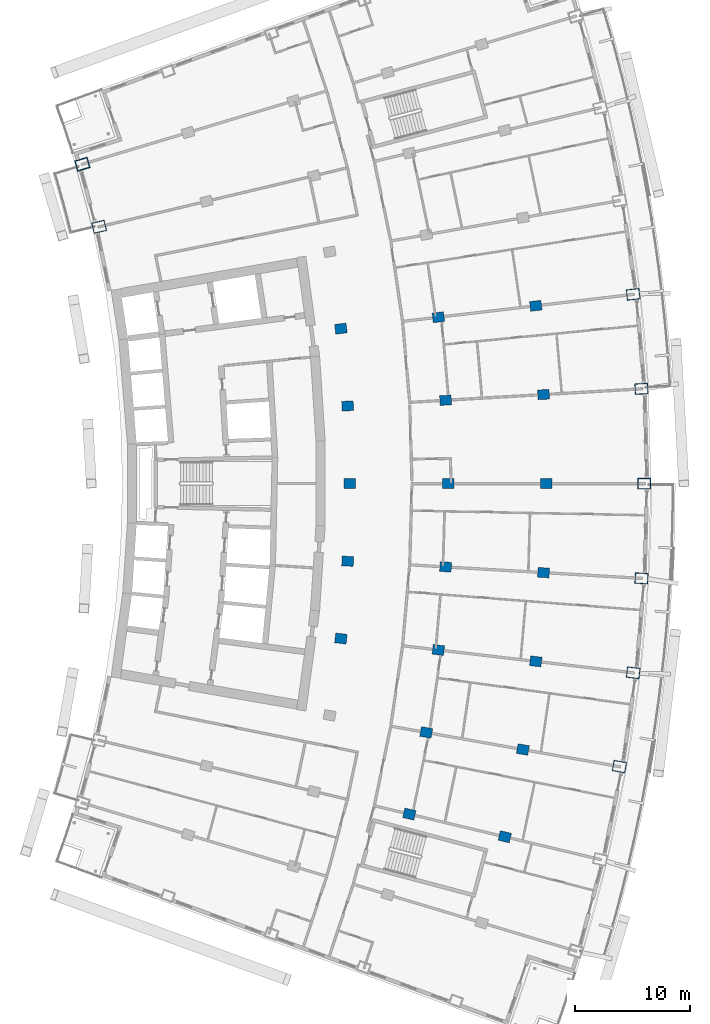
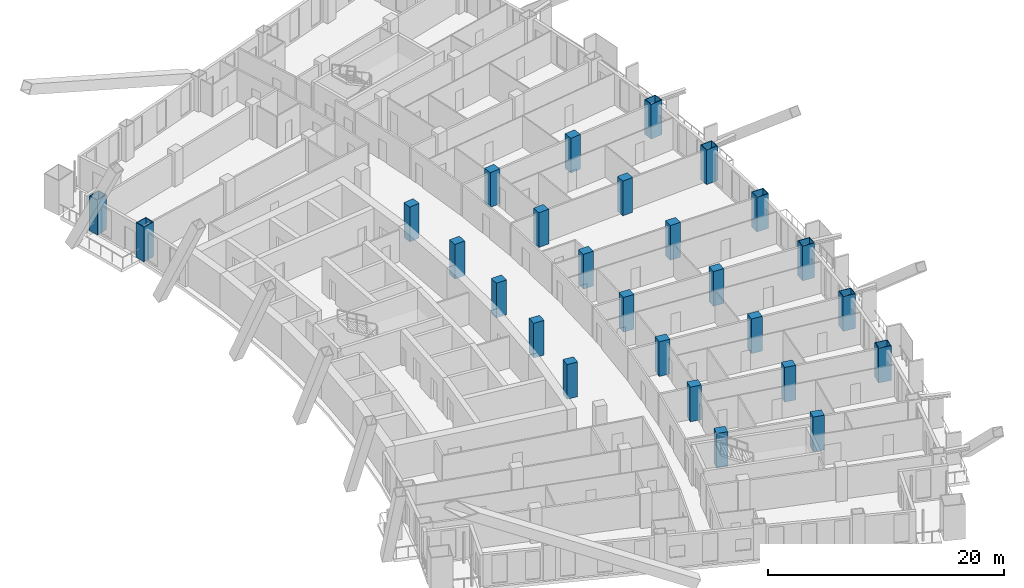
# One storey, part 6 of 25: 27 columns.
"""IFC4 building model written with IfcOpenShell, lengths in metres."""

from ifc_helpers import new_model, si_unit, direction, frame, origin, origin_2d, place, context, subcontext, project, spatial, rectangle, hollow_rectangle, extrude, material, material_profile, profile_set, type_object, element, save


model = new_model("IFC4")

# Units and contexts
model_context = context("Model", 3, precision=1e-05, world=origin(), true_north=direction((0.0, 1.0)))
body_context = subcontext(model_context, "Body", "Model", "MODEL_VIEW")
ifc_project = project(units=[si_unit("LENGTHUNIT", "METRE"), si_unit("AREAUNIT", "SQUARE_METRE"), si_unit("VOLUMEUNIT", "CUBIC_METRE"), si_unit("PLANEANGLEUNIT", "RADIAN"), si_unit("MASSUNIT", "GRAM", prefix="KILO")], contexts=[model_context])

# Site, building, storey
site_placement = place(None, origin())
site = spatial("IfcSite", under=ifc_project, at=site_placement, CompositionType="ELEMENT")
building_placement = place(site_placement, origin())
building = spatial("IfcBuilding", under=site, at=building_placement, Name="Alderwake Tower", CompositionType="ELEMENT")
storey_placement = place(building_placement, frame((0.0, 0.0, 93.199951171875)))
storey = spatial("IfcBuildingStorey", under=building, at=storey_placement, Name="L22", CompositionType="ELEMENT", Elevation=93.199951171875)

# Columns
ifc_material_1 = material(Name="Concrete C70/85", Category="concrete")
ifc_material_profile_1 = material_profile(ifc_material_1, rectangle(XDim=0.85009765625, YDim=1.0, at=origin_2d()), Name="RC 1000X850")
ifc_profile_set_1 = profile_set([ifc_material_profile_1], Name="Concrete C70/85")
column_type_1 = type_object("IfcColumnType", Name="Interior column Z2", PredefinedType="COLUMN", material=ifc_profile_set_1)
for number, where, z_axis, x_axis, name in (
    (1, (40.964111328125, 32.25146484375, 0.0), (0.0, 0.0, 1.0), (0.231221547198, 0.972901123502, 0.0), "Column R03-C3"),
    (2, (49.26611328125, 30.2783203125, 0.0), (0.0, 0.0, 1.0), (0.231221547198, 0.972901123502, 0.0), "Column R03-C4"),
    (3, (42.434326171875, 39.3525390625, 0.0), (0.0, 0.0, 1.0), (0.174107082075, 0.984726725529, 0.0), "Column R04-C3"),
    (4, (50.83740234375, 37.86669921875, 0.0), (0.0, 0.0, 1.0), (0.174108800747, 0.984726421654, 0.0), "Column R04-C4"),
    (5, (35.0126953125, 47.5205078125, 0.0), (0.0, 0.0, 1.0), (0.116402054316, 0.993202175668, 0.0), "Column R05-C2"),
    (6, (43.488037109375, 46.52734375, 0.0), (0.0, 0.0, 1.0), (0.116402054316, 0.993202175668, 0.0), "Column R05-C3"),
    (7, (51.96337890625, 45.533935546875, 0.0), (0.0, 0.0, 1.0), (0.116402054316, 0.993202175668, 0.0), "Column R05-C4"),
    (8, (35.60302734375, 54.248779296875, 0.0), (0.0, 0.0, 1.0), (0.058301061284, 0.998299046505, 0.0), "Column R06-C2"),
    (9, (44.121826171875, 53.751220703125, 0.0), (0.0, 0.0, 1.0), (0.058301061284, 0.998299046505, 0.0), "Column R06-C3"),
    (10, (52.640625, 53.25390625, 0.0), (0.0, 0.0, 1.0), (0.058301061284, 0.998299046505, 0.0), "Column R06-C4"),
    (11, (35.800048828125, 61.0, 0.0), (0.0, 0.0, 1.0), (0.0, 1.0, 0.0), "Column R07-C2"),
    (12, (44.333251953125, 61.0, 0.0), (0.0, 0.0, 1.0), (0.0, 1.0, 0.0), "Column R07-C3"),
    (13, (52.86669921875, 61.0, 0.0), (0.0, 0.0, 1.0), (0.0, 1.0, 0.0), "Column R07-C4"),
    (14, (35.60302734375, 67.751220703125, 0.0), (0.0, 0.0, 1.0), (-0.058301061284, 0.998299046505, 0.0), "Column R08-C2"),
    (15, (44.121826171875, 68.248779296875, 0.0), (0.0, 0.0, 1.0), (-0.058301061284, 0.998299046505, 0.0), "Column R08-C3"),
    (16, (52.640625, 68.74609375, 0.0), (0.0, 0.0, 1.0), (-0.058301061284, 0.998299046505, 0.0), "Column R08-C4"),
    (17, (35.0126953125, 74.4794921875, 0.0), (0.0, 0.0, 1.0), (-0.116402054316, 0.993202175668, 0.0), "Column R09-C2"),
    (18, (43.488037109375, 75.47265625, 0.0), (0.0, 0.0, 1.0), (-0.116402054316, 0.993202175668, 0.0), "Column R09-C3"),
    (19, (51.96337890625, 76.466064453125, 0.0), (0.0, 0.0, 1.0), (-0.116402054316, 0.993202175668, 0.0), "Column R09-C4"),
):
    element("IfcColumn", number, at=place(storey_placement, frame(where, z_axis=z_axis, x_axis=x_axis)), inside=storey, type_object=column_type_1, Name=name, PredefinedType="COLUMN", context=body_context, shape_type="SweptSolid", body=[
        extrude(rectangle(XDim=0.85009765625, YDim=1.0, at=origin_2d()), origin(), (0.0, 0.0, 1.0), 3.60009765625),
    ])
ifc_material_2 = material(Name="Steel ASTM A572 Grade 50 concrete filled C70/85", Category="concrete")
ifc_material_profile_2 = material_profile(ifc_material_2, hollow_rectangle(XDim=0.949951171875, YDim=1.14990234375, WallThickness=0.06005859375, at=origin_2d()), Name="BOX 1150X950X60")
ifc_profile_set_2 = profile_set([ifc_material_profile_2], Name="Steel ASTM A572 Grade 50 concrete filled C70/85")
column_type_2 = type_object("IfcColumnType", Name="Perimeter column Z2", PredefinedType="COLUMN", material=ifc_profile_set_2)
for number, where, z_axis, x_axis, name in (
    (20, (59.240234375, 36.381103515625, 0.0), (0.0, 0.0, 1.0), (0.174108800747, 0.984726421654, 0.0), "Column R04-C5"),
    (21, (60.438720703125, 44.540771484375, 0.0), (0.0, 0.0, 1.0), (0.116402054316, 0.993202175668, 0.0), "Column R05-C5"),
    (22, (61.159423828125, 52.75634765625, 0.0), (0.0, 0.0, 1.0), (0.058301061284, 0.998299046505, 0.0), "Column R06-C5"),
    (23, (61.39990234375, 61.0, 0.0), (0.0, 0.0, 1.0), (0.0, 1.0, 0.0), "Column R07-C5"),
    (24, (61.159423828125, 69.24365234375, 0.0), (0.0, 0.0, 1.0), (-0.058301061284, 0.998299046505, 0.0), "Column R08-C5"),
    (25, (60.438720703125, 77.459228515625, 0.0), (0.0, 0.0, 1.0), (-0.116402054316, 0.993202175668, 0.0), "Column R09-C5"),
    (26, (13.982177734375, 83.3359375, 0.0), (0.0, 0.0, 1.0), (-0.231221547198, 0.972901123502, 0.0), "Column R11-C0"),
    (27, (12.520263671875, 88.777099609375, 0.0), (0.0, 0.0, 1.0), (-0.287549418125, 0.957765802342, 0.0), "Column R12-C0"),
):
    element("IfcColumn", number, at=place(storey_placement, frame(where, z_axis=z_axis, x_axis=x_axis)), inside=storey, type_object=column_type_2, Name=name, PredefinedType="COLUMN", context=body_context, shape_type="SweptSolid", body=[
        extrude(hollow_rectangle(XDim=0.949951171875, YDim=1.14990234375, WallThickness=0.06005859375, at=origin_2d()), origin(), (0.0, 0.0, 1.0), 3.60009765625),
    ])

save(model, "model.ifc")
